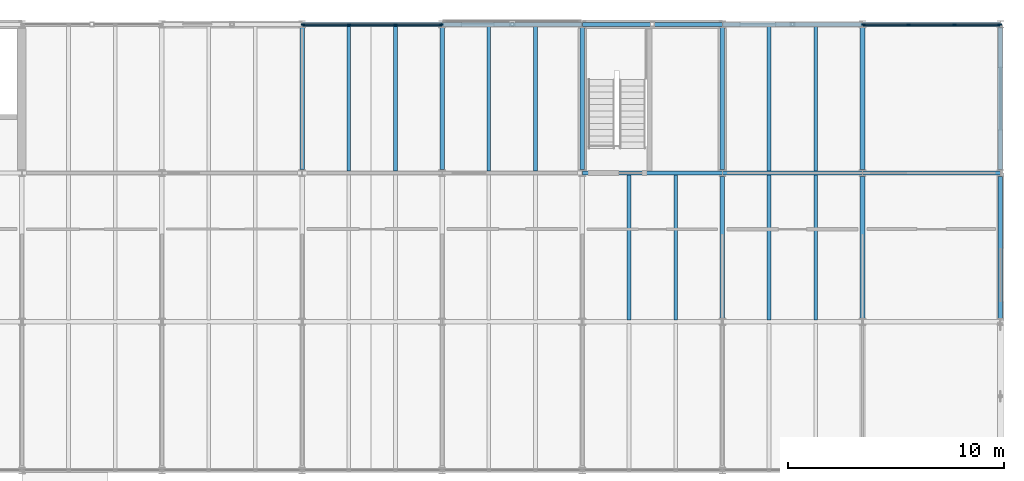
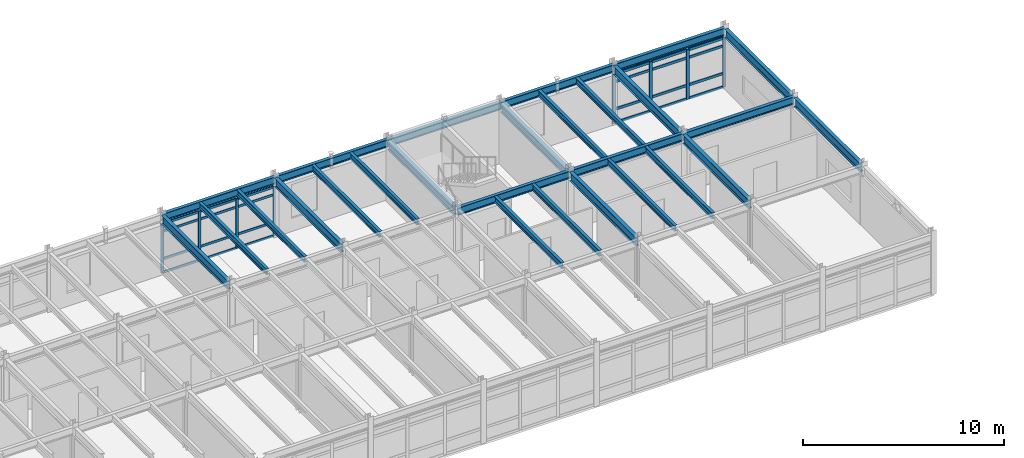
# One storey, part 28 of 49: 32 members, 27 beams, 2 elements without a shape of their own.
"""IFC4 building model written with IfcOpenShell, lengths in metres."""

from ifc_helpers import new_model, si_unit, direction, frame, origin, origin_2d, place, context, subcontext, project, spatial, rectangle, i_section, extrude, material, layer, layer_set, material_profile, profile_set, type_object, element, aggregate, save


model = new_model("IFC4")

# Units and contexts
model_context = context("Model", 3, precision=1e-05, world=origin(), true_north=direction((0.0, 1.0)))
body_context = subcontext(model_context, "Body", "Model", "MODEL_VIEW")
ifc_project = project(units=[si_unit("LENGTHUNIT", "METRE"), si_unit("AREAUNIT", "SQUARE_METRE"), si_unit("VOLUMEUNIT", "CUBIC_METRE"), si_unit("PLANEANGLEUNIT", "RADIAN"), si_unit("MASSUNIT", "GRAM", prefix="KILO")], contexts=[model_context])

# Site, building, storey
site_placement = place(None, origin())
site = spatial("IfcSite", under=ifc_project, at=site_placement, CompositionType="ELEMENT")
building_placement = place(site_placement, origin())
building = spatial("IfcBuilding", under=site, at=building_placement, Name="Trelmorton Wharf Fire Station", CompositionType="ELEMENT")
storey_placement = place(building_placement, frame((0.0, 0.0, 9.60009765625)))
storey = spatial("IfcBuildingStorey", under=building, at=storey_placement, Name="L02", CompositionType="ELEMENT", Elevation=9.60009765625)

# Beams
ifc_material_1 = material(Name="Steel Grade 350", Category="steel")
ifc_material_profile_1 = material_profile(ifc_material_1, i_section(OverallWidth=0.19091796875, OverallDepth=0.4599609375, WebThickness=0.010009765625, FlangeThickness=0.01611328125, FilletRadius=0.011474609375, at=origin_2d()), Name="460UB82.1")
ifc_profile_set_1 = profile_set([ifc_material_profile_1], Name="Steel Grade 350")
beam_type_1 = type_object("IfcBeamType", Name="BM_460UB82", PredefinedType="BEAM", material=ifc_profile_set_1)
for number, where, z_axis, x_axis, name in (
    (1, (143.00390625, 74.10009765625, 3.39990234375), (1.0, 0.0, 0.0), (0.0, 1.0, 0.0), "BM-L02-0768"),
    (2, (149.50390625, 74.10009765625, 3.39990234375), (1.0, 0.0, 0.0), (0.0, 1.0, 0.0), "BM-L02-0769"),
):
    element("IfcBeam", number, at=place(storey_placement, frame(where, z_axis=z_axis, x_axis=x_axis)), inside=storey, type_object=beam_type_1, Name=name, PredefinedType="BEAM", context=body_context, shape_type="SweptSolid", body=[
        extrude(i_section(OverallWidth=0.19091796875, OverallDepth=0.4599609375, WebThickness=0.010009765625, FlangeThickness=0.01611328125, FilletRadius=0.011474609375, at=origin_2d()), origin(), (0.0, 0.0, 1.0), 6.4921875),
    ])
beam_1_placement = place(storey_placement, frame((156.00390625, 74.10009765625, 3.39990234375), z_axis=(1.0, 0.0, 0.0), x_axis=(0.0, 1.0, 0.0)))
element("IfcBeam", 3, at=beam_1_placement, inside=storey, type_object=beam_type_1, Name="BM-L02-0770", PredefinedType="BEAM", context=body_context, shape_type="SweptSolid", body=[
    extrude(i_section(OverallWidth=0.19091796875, OverallDepth=0.4599609375, WebThickness=0.010009765625, FlangeThickness=0.01611328125, FilletRadius=0.011474609375, at=origin_2d()), origin(), (0.0, 0.0, 1.0), 6.39208984375),
])
ifc_material_profile_2 = material_profile(ifc_material_1, i_section(OverallWidth=0.208984375, OverallDepth=0.532958984375, WebThickness=0.01025390625, FlangeThickness=0.015625, FilletRadius=0.013916015625, at=origin_2d()), Name="530UB92.4")
ifc_profile_set_2 = profile_set([ifc_material_profile_2], Name="Steel Grade 350")
beam_type_2 = type_object("IfcBeamType", Name="BM_530UB92", PredefinedType="BEAM", material=ifc_profile_set_2)
for number, where, z_axis, x_axis, name in (
    (4, (130.0, 74.25341796875, 3.36328125), (0.0, 1.0, 0.0), (-1.0, 0.0, 0.0), "BM-L02-0842"),
    (5, (136.5, 74.25341796875, 3.36328125), (0.0, 1.0, 0.0), (-1.0, 0.0, 0.0), "BM-L02-0848"),
    (6, (143.0, 74.25341796875, 3.36328125), (0.0, 1.0, 0.0), (-1.0, 0.0, 0.0), "BM-L02-0854"),
    (7, (149.5, 67.353515625, 3.36328125), (0.0, 1.0, 0.0), (-1.0, 0.0, 0.0), "BM-L02-0859"),
    (8, (149.5, 74.25341796875, 3.36328125), (0.0, 1.0, 0.0), (-1.0, 0.0, 0.0), "BM-L02-0860"),
    (9, (156.0, 67.353515625, 3.36328125), (0.0, 1.0, 0.0), (-1.0, 0.0, 0.0), "BM-L02-0865"),
    (10, (156.0, 74.25341796875, 3.36328125), (0.0, 1.0, 0.0), (-1.0, 0.0, 0.0), "BM-L02-0866"),
    (11, (162.39990234375, 67.353515625, 3.36328125), (0.0, 1.0, 0.0), (-1.0, 0.0, 0.0), "BM-L02-0871"),
    (12, (162.39990234375, 74.25341796875, 3.36328125), (0.0, 1.0, 0.0), (-1.0, 0.0, 0.0), "BM-L02-0872"),
):
    element("IfcBeam", number, at=place(storey_placement, frame(where, z_axis=z_axis, x_axis=x_axis)), inside=storey, type_object=beam_type_2, Name=name, PredefinedType="BEAM", context=body_context, shape_type="SweptSolid", body=[
        extrude(i_section(OverallWidth=0.208984375, OverallDepth=0.532958984375, WebThickness=0.01025390625, FlangeThickness=0.015625, FilletRadius=0.013916015625, at=origin_2d()), origin(), (0.0, 0.0, 1.0), 6.593017578125),
    ])

# Curtain wall, members
ifc_material_2 = material(Name="Anodised aluminium AW-6063", Category="aluminium")
ifc_layer = layer(ifc_material_2, 0.14990234375)
ifc_layer_set = layer_set([ifc_layer], Name="Anodised aluminium AW-6063")
curtain_wall_type = type_object("IfcCurtainWallType", Name="CW_UNIT_A", PredefinedType="USERDEFINED", material=ifc_layer_set)
curtain_wall_1_placement = place(storey_placement, origin())
curtain_wall_1 = element("IfcCurtainWall", 13, at=curtain_wall_1_placement, inside=storey, type_object=curtain_wall_type, Name="CW-V4-L02-141", ObjectType="UNITISED CURTAIN WALL", PredefinedType="USERDEFINED")
ifc_material_profile_3 = material_profile(ifc_material_2, rectangle(XDim=0.06494140625, YDim=0.159912109375, at=origin_2d()), Name="ALU-65x160")
ifc_profile_set_3 = profile_set([ifc_material_profile_3], Name="Anodised aluminium AW-6063")
member_type_1 = type_object("IfcMemberType", Name="CWM_65x160", PredefinedType="MULLION", material=ifc_profile_set_3)
member_1_placement = place(storey_placement, frame((130.034912109375, 81.0, 0.0), z_axis=(0.0, 0.0, 1.0), x_axis=(0.0, 1.0, 0.0)))
member_1 = element("IfcMember", 14, at=member_1_placement, type_object=member_type_1, Name="CW3 mullion 1", PredefinedType="MULLION", context=body_context, shape_type="SweptSolid", body=[
    extrude(rectangle(XDim=0.06494140625, YDim=0.159912109375, at=origin_2d()), origin(), (0.0, 0.0, 1.0), 3.02001953125),
])
member_2_placement = place(storey_placement, frame((132.168212890625, 81.0, 0.0), z_axis=(0.0, 0.0, 1.0), x_axis=(0.0, 1.0, 0.0)))
member_2 = element("IfcMember", 15, at=member_2_placement, type_object=member_type_1, Name="CW3 mullion 2", PredefinedType="MULLION", context=body_context, shape_type="SweptSolid", body=[
    extrude(rectangle(XDim=0.06494140625, YDim=0.159912109375, at=origin_2d()), origin(), (0.0, 0.0, 1.0), 3.02001953125),
])
member_3_placement = place(storey_placement, frame((134.331787109375, 81.0, 0.0), z_axis=(0.0, 0.0, 1.0), x_axis=(0.0, 1.0, 0.0)))
member_3 = element("IfcMember", 16, at=member_3_placement, type_object=member_type_1, Name="CW3 mullion 3", PredefinedType="MULLION", context=body_context, shape_type="SweptSolid", body=[
    extrude(rectangle(XDim=0.06494140625, YDim=0.159912109375, at=origin_2d()), origin(), (0.0, 0.0, 1.0), 3.02001953125),
])
member_4_placement = place(storey_placement, frame((136.465087890625, 81.0, 0.0), z_axis=(0.0, 0.0, 1.0), x_axis=(0.0, 1.0, 0.0)))
member_4 = element("IfcMember", 17, at=member_4_placement, type_object=member_type_1, Name="CW3 mullion 4", PredefinedType="MULLION", context=body_context, shape_type="SweptSolid", body=[
    extrude(rectangle(XDim=0.06494140625, YDim=0.159912109375, at=origin_2d()), origin(), (0.0, 0.0, 1.0), 3.02001953125),
])

curtain_wall_2_placement = place(storey_placement, origin())
curtain_wall_2 = element("IfcCurtainWall", 18, at=curtain_wall_2_placement, inside=storey, type_object=curtain_wall_type, Name="CW-V4-L02-142", ObjectType="UNITISED CURTAIN WALL", PredefinedType="USERDEFINED")
ifc_material_profile_4 = material_profile(ifc_material_2, rectangle(XDim=0.074951171875, YDim=0.175048828125, at=origin_2d()), Name="ALU-75x175")
ifc_profile_set_4 = profile_set([ifc_material_profile_4], Name="Anodised aluminium AW-6063")
member_type_2 = type_object("IfcMemberType", Name="CWM_75x175", PredefinedType="MULLION", material=ifc_profile_set_4)
member_5_placement = place(storey_placement, frame((156.034912109375, 81.0, 0.0), z_axis=(0.0, 0.0, 1.0), x_axis=(0.0, 1.0, 0.0)))
member_5 = element("IfcMember", 19, at=member_5_placement, type_object=member_type_2, Name="CW3 mullion 1", PredefinedType="MULLION", context=body_context, shape_type="SweptSolid", body=[
    extrude(rectangle(XDim=0.074951171875, YDim=0.175048828125, at=origin_2d()), origin(), (0.0, 0.0, 1.0), 3.02001953125),
])
member_6_placement = place(storey_placement, frame((158.135009765625, 81.0, 0.0), z_axis=(0.0, 0.0, 1.0), x_axis=(0.0, 1.0, 0.0)))
member_6 = element("IfcMember", 20, at=member_6_placement, type_object=member_type_2, Name="CW3 mullion 2", PredefinedType="MULLION", context=body_context, shape_type="SweptSolid", body=[
    extrude(rectangle(XDim=0.074951171875, YDim=0.175048828125, at=origin_2d()), origin(), (0.0, 0.0, 1.0), 3.02001953125),
])
member_7_placement = place(storey_placement, frame((160.264892578125, 81.0, 0.0), z_axis=(0.0, 0.0, 1.0), x_axis=(0.0, 1.0, 0.0)))
member_7 = element("IfcMember", 21, at=member_7_placement, type_object=member_type_2, Name="CW3 mullion 3", PredefinedType="MULLION", context=body_context, shape_type="SweptSolid", body=[
    extrude(rectangle(XDim=0.074951171875, YDim=0.175048828125, at=origin_2d()), origin(), (0.0, 0.0, 1.0), 3.02001953125),
])
member_8_placement = place(storey_placement, frame((162.364990234375, 81.0, 0.0), z_axis=(0.0, 0.0, 1.0), x_axis=(0.0, 1.0, 0.0)))
member_8 = element("IfcMember", 22, at=member_8_placement, type_object=member_type_2, Name="CW3 mullion 4", PredefinedType="MULLION", context=body_context, shape_type="SweptSolid", body=[
    extrude(rectangle(XDim=0.074951171875, YDim=0.175048828125, at=origin_2d()), origin(), (0.0, 0.0, 1.0), 3.02001953125),
])

# Member
ifc_material_profile_5 = material_profile(ifc_material_2, rectangle(XDim=0.06494140625, YDim=0.139892578125, at=origin_2d()), Name="ALU-65x140")
ifc_profile_set_5 = profile_set([ifc_material_profile_5], Name="Anodised aluminium AW-6063")
member_type_3 = type_object("IfcMemberType", Name="CWT_65x140", PredefinedType="USERDEFINED", material=ifc_profile_set_5)
member_9_placement = place(storey_placement, frame((130.06494140625, 81.0, 0.02978515625), z_axis=(1.0, 0.0, 0.0), x_axis=(0.0, 1.0, 0.0)))
member_9 = element("IfcMember", 23, at=member_9_placement, type_object=member_type_3, Name="CW3 transom 1.1", ObjectType="TRANSOM", PredefinedType="USERDEFINED", context=body_context, shape_type="SweptSolid", body=[
    extrude(rectangle(XDim=0.06494140625, YDim=0.139892578125, at=origin_2d()), origin(), (0.0, 0.0, 1.0), 2.073486328125),
])

member_10_placement = place(storey_placement, frame((130.06494140625, 81.0, 0.849853515625), z_axis=(1.0, 0.0, 0.0), x_axis=(0.0, 1.0, 0.0)))
member_10 = element("IfcMember", 24, at=member_10_placement, type_object=member_type_3, Name="CW3 transom 1.2", ObjectType="TRANSOM", PredefinedType="USERDEFINED", context=body_context, shape_type="SweptSolid", body=[
    extrude(rectangle(XDim=0.06494140625, YDim=0.139892578125, at=origin_2d()), origin(), (0.0, 0.0, 1.0), 2.073486328125),
])

member_11_placement = place(storey_placement, frame((130.06494140625, 81.0, 2.52001953125), z_axis=(1.0, 0.0, 0.0), x_axis=(0.0, 1.0, 0.0)))
member_11 = element("IfcMember", 25, at=member_11_placement, type_object=member_type_3, Name="CW3 transom 1.3", ObjectType="TRANSOM", PredefinedType="USERDEFINED", context=body_context, shape_type="SweptSolid", body=[
    extrude(rectangle(XDim=0.06494140625, YDim=0.139892578125, at=origin_2d()), origin(), (0.0, 0.0, 1.0), 2.073486328125),
])

member_12_placement = place(storey_placement, frame((130.06494140625, 81.0, 2.989990234375), z_axis=(1.0, 0.0, 0.0), x_axis=(0.0, 1.0, 0.0)))
member_12 = element("IfcMember", 26, at=member_12_placement, type_object=member_type_3, Name="CW3 transom 1.4", ObjectType="TRANSOM", PredefinedType="USERDEFINED", context=body_context, shape_type="SweptSolid", body=[
    extrude(rectangle(XDim=0.06494140625, YDim=0.139892578125, at=origin_2d()), origin(), (0.0, 0.0, 1.0), 2.073486328125),
])

member_13_placement = place(storey_placement, frame((132.1982421875, 81.0, 0.02978515625), z_axis=(1.0, 0.0, 0.0), x_axis=(0.0, 1.0, 0.0)))
member_13 = element("IfcMember", 27, at=member_13_placement, type_object=member_type_3, Name="CW3 transom 2.1", ObjectType="TRANSOM", PredefinedType="USERDEFINED", context=body_context, shape_type="SweptSolid", body=[
    extrude(rectangle(XDim=0.06494140625, YDim=0.139892578125, at=origin_2d()), origin(), (0.0, 0.0, 1.0), 2.103515625),
])

member_14_placement = place(storey_placement, frame((132.1982421875, 81.0, 0.849853515625), z_axis=(1.0, 0.0, 0.0), x_axis=(0.0, 1.0, 0.0)))
member_14 = element("IfcMember", 28, at=member_14_placement, type_object=member_type_3, Name="CW3 transom 2.2", ObjectType="TRANSOM", PredefinedType="USERDEFINED", context=body_context, shape_type="SweptSolid", body=[
    extrude(rectangle(XDim=0.06494140625, YDim=0.139892578125, at=origin_2d()), origin(), (0.0, 0.0, 1.0), 2.103515625),
])

member_15_placement = place(storey_placement, frame((132.1982421875, 81.0, 2.52001953125), z_axis=(1.0, 0.0, 0.0), x_axis=(0.0, 1.0, 0.0)))
member_15 = element("IfcMember", 29, at=member_15_placement, type_object=member_type_3, Name="CW3 transom 2.3", ObjectType="TRANSOM", PredefinedType="USERDEFINED", context=body_context, shape_type="SweptSolid", body=[
    extrude(rectangle(XDim=0.06494140625, YDim=0.139892578125, at=origin_2d()), origin(), (0.0, 0.0, 1.0), 2.103515625),
])

member_16_placement = place(storey_placement, frame((132.1982421875, 81.0, 2.989990234375), z_axis=(1.0, 0.0, 0.0), x_axis=(0.0, 1.0, 0.0)))
member_16 = element("IfcMember", 30, at=member_16_placement, type_object=member_type_3, Name="CW3 transom 2.4", ObjectType="TRANSOM", PredefinedType="USERDEFINED", context=body_context, shape_type="SweptSolid", body=[
    extrude(rectangle(XDim=0.06494140625, YDim=0.139892578125, at=origin_2d()), origin(), (0.0, 0.0, 1.0), 2.103515625),
])

member_17_placement = place(storey_placement, frame((134.361572265625, 81.0, 0.02978515625), z_axis=(1.0, 0.0, 0.0), x_axis=(0.0, 1.0, 0.0)))
member_17 = element("IfcMember", 31, at=member_17_placement, type_object=member_type_3, Name="CW3 transom 3.1", ObjectType="TRANSOM", PredefinedType="USERDEFINED", context=body_context, shape_type="SweptSolid", body=[
    extrude(rectangle(XDim=0.06494140625, YDim=0.139892578125, at=origin_2d()), origin(), (0.0, 0.0, 1.0), 2.073486328125),
])

member_18_placement = place(storey_placement, frame((134.361572265625, 81.0, 0.849853515625), z_axis=(1.0, 0.0, 0.0), x_axis=(0.0, 1.0, 0.0)))
member_18 = element("IfcMember", 32, at=member_18_placement, type_object=member_type_3, Name="CW3 transom 3.2", ObjectType="TRANSOM", PredefinedType="USERDEFINED", context=body_context, shape_type="SweptSolid", body=[
    extrude(rectangle(XDim=0.06494140625, YDim=0.139892578125, at=origin_2d()), origin(), (0.0, 0.0, 1.0), 2.073486328125),
])

member_19_placement = place(storey_placement, frame((134.361572265625, 81.0, 2.52001953125), z_axis=(1.0, 0.0, 0.0), x_axis=(0.0, 1.0, 0.0)))
member_19 = element("IfcMember", 33, at=member_19_placement, type_object=member_type_3, Name="CW3 transom 3.3", ObjectType="TRANSOM", PredefinedType="USERDEFINED", context=body_context, shape_type="SweptSolid", body=[
    extrude(rectangle(XDim=0.06494140625, YDim=0.139892578125, at=origin_2d()), origin(), (0.0, 0.0, 1.0), 2.073486328125),
])

member_20_placement = place(storey_placement, frame((134.361572265625, 81.0, 2.989990234375), z_axis=(1.0, 0.0, 0.0), x_axis=(0.0, 1.0, 0.0)))
member_20 = element("IfcMember", 34, at=member_20_placement, type_object=member_type_3, Name="CW3 transom 3.4", ObjectType="TRANSOM", PredefinedType="USERDEFINED", context=body_context, shape_type="SweptSolid", body=[
    extrude(rectangle(XDim=0.06494140625, YDim=0.139892578125, at=origin_2d()), origin(), (0.0, 0.0, 1.0), 2.073486328125),
])

aggregate(curtain_wall_1, [member_1, member_2, member_3, member_4, member_9, member_10, member_11, member_12, member_13, member_14, member_15, member_16, member_17, member_18, member_19, member_20])

ifc_material_profile_6 = material_profile(ifc_material_2, rectangle(XDim=0.074951171875, YDim=0.155029296875, at=origin_2d()), Name="ALU-75x155")
ifc_profile_set_6 = profile_set([ifc_material_profile_6], Name="Anodised aluminium AW-6063")
member_type_4 = type_object("IfcMemberType", Name="CWT_75x155", PredefinedType="USERDEFINED", material=ifc_profile_set_6)
member_21_placement = place(storey_placement, frame((156.06494140625, 81.0, 0.02978515625), z_axis=(1.0, 0.0, 0.0), x_axis=(0.0, 1.0, 0.0)))
member_21 = element("IfcMember", 35, at=member_21_placement, type_object=member_type_4, Name="CW3 transom 1.1", ObjectType="TRANSOM", PredefinedType="USERDEFINED", context=body_context, shape_type="SweptSolid", body=[
    extrude(rectangle(XDim=0.074951171875, YDim=0.155029296875, at=origin_2d()), origin(), (0.0, 0.0, 1.0), 2.0400390625),
])

member_22_placement = place(storey_placement, frame((156.06494140625, 81.0, 0.849853515625), z_axis=(1.0, 0.0, 0.0), x_axis=(0.0, 1.0, 0.0)))
member_22 = element("IfcMember", 36, at=member_22_placement, type_object=member_type_4, Name="CW3 transom 1.2", ObjectType="TRANSOM", PredefinedType="USERDEFINED", context=body_context, shape_type="SweptSolid", body=[
    extrude(rectangle(XDim=0.074951171875, YDim=0.155029296875, at=origin_2d()), origin(), (0.0, 0.0, 1.0), 2.0400390625),
])

member_23_placement = place(storey_placement, frame((156.06494140625, 81.0, 2.52001953125), z_axis=(1.0, 0.0, 0.0), x_axis=(0.0, 1.0, 0.0)))
member_23 = element("IfcMember", 37, at=member_23_placement, type_object=member_type_4, Name="CW3 transom 1.3", ObjectType="TRANSOM", PredefinedType="USERDEFINED", context=body_context, shape_type="SweptSolid", body=[
    extrude(rectangle(XDim=0.074951171875, YDim=0.155029296875, at=origin_2d()), origin(), (0.0, 0.0, 1.0), 2.0400390625),
])

member_24_placement = place(storey_placement, frame((156.06494140625, 81.0, 2.989990234375), z_axis=(1.0, 0.0, 0.0), x_axis=(0.0, 1.0, 0.0)))
member_24 = element("IfcMember", 38, at=member_24_placement, type_object=member_type_4, Name="CW3 transom 1.4", ObjectType="TRANSOM", PredefinedType="USERDEFINED", context=body_context, shape_type="SweptSolid", body=[
    extrude(rectangle(XDim=0.074951171875, YDim=0.155029296875, at=origin_2d()), origin(), (0.0, 0.0, 1.0), 2.0400390625),
])

member_25_placement = place(storey_placement, frame((158.1650390625, 81.0, 0.02978515625), z_axis=(1.0, 0.0, 0.0), x_axis=(0.0, 1.0, 0.0)))
member_25 = element("IfcMember", 39, at=member_25_placement, type_object=member_type_4, Name="CW3 transom 2.1", ObjectType="TRANSOM", PredefinedType="USERDEFINED", context=body_context, shape_type="SweptSolid", body=[
    extrude(rectangle(XDim=0.074951171875, YDim=0.155029296875, at=origin_2d()), origin(), (0.0, 0.0, 1.0), 2.070068359375),
])

member_26_placement = place(storey_placement, frame((158.1650390625, 81.0, 0.849853515625), z_axis=(1.0, 0.0, 0.0), x_axis=(0.0, 1.0, 0.0)))
member_26 = element("IfcMember", 40, at=member_26_placement, type_object=member_type_4, Name="CW3 transom 2.2", ObjectType="TRANSOM", PredefinedType="USERDEFINED", context=body_context, shape_type="SweptSolid", body=[
    extrude(rectangle(XDim=0.074951171875, YDim=0.155029296875, at=origin_2d()), origin(), (0.0, 0.0, 1.0), 2.070068359375),
])

member_27_placement = place(storey_placement, frame((158.1650390625, 81.0, 2.52001953125), z_axis=(1.0, 0.0, 0.0), x_axis=(0.0, 1.0, 0.0)))
member_27 = element("IfcMember", 41, at=member_27_placement, type_object=member_type_4, Name="CW3 transom 2.3", ObjectType="TRANSOM", PredefinedType="USERDEFINED", context=body_context, shape_type="SweptSolid", body=[
    extrude(rectangle(XDim=0.074951171875, YDim=0.155029296875, at=origin_2d()), origin(), (0.0, 0.0, 1.0), 2.070068359375),
])

member_28_placement = place(storey_placement, frame((158.1650390625, 81.0, 2.989990234375), z_axis=(1.0, 0.0, 0.0), x_axis=(0.0, 1.0, 0.0)))
member_28 = element("IfcMember", 42, at=member_28_placement, type_object=member_type_4, Name="CW3 transom 2.4", ObjectType="TRANSOM", PredefinedType="USERDEFINED", context=body_context, shape_type="SweptSolid", body=[
    extrude(rectangle(XDim=0.074951171875, YDim=0.155029296875, at=origin_2d()), origin(), (0.0, 0.0, 1.0), 2.070068359375),
])

member_29_placement = place(storey_placement, frame((160.294921875, 81.0, 0.02978515625), z_axis=(1.0, 0.0, 0.0), x_axis=(0.0, 1.0, 0.0)))
member_29 = element("IfcMember", 43, at=member_29_placement, type_object=member_type_4, Name="CW3 transom 3.1", ObjectType="TRANSOM", PredefinedType="USERDEFINED", context=body_context, shape_type="SweptSolid", body=[
    extrude(rectangle(XDim=0.074951171875, YDim=0.155029296875, at=origin_2d()), origin(), (0.0, 0.0, 1.0), 2.0400390625),
])

member_30_placement = place(storey_placement, frame((160.294921875, 81.0, 0.849853515625), z_axis=(1.0, 0.0, 0.0), x_axis=(0.0, 1.0, 0.0)))
member_30 = element("IfcMember", 44, at=member_30_placement, type_object=member_type_4, Name="CW3 transom 3.2", ObjectType="TRANSOM", PredefinedType="USERDEFINED", context=body_context, shape_type="SweptSolid", body=[
    extrude(rectangle(XDim=0.074951171875, YDim=0.155029296875, at=origin_2d()), origin(), (0.0, 0.0, 1.0), 2.0400390625),
])

member_31_placement = place(storey_placement, frame((160.294921875, 81.0, 2.52001953125), z_axis=(1.0, 0.0, 0.0), x_axis=(0.0, 1.0, 0.0)))
member_31 = element("IfcMember", 45, at=member_31_placement, type_object=member_type_4, Name="CW3 transom 3.3", ObjectType="TRANSOM", PredefinedType="USERDEFINED", context=body_context, shape_type="SweptSolid", body=[
    extrude(rectangle(XDim=0.074951171875, YDim=0.155029296875, at=origin_2d()), origin(), (0.0, 0.0, 1.0), 2.0400390625),
])

member_32_placement = place(storey_placement, frame((160.294921875, 81.0, 2.989990234375), z_axis=(1.0, 0.0, 0.0), x_axis=(0.0, 1.0, 0.0)))
member_32 = element("IfcMember", 46, at=member_32_placement, type_object=member_type_4, Name="CW3 transom 3.4", ObjectType="TRANSOM", PredefinedType="USERDEFINED", context=body_context, shape_type="SweptSolid", body=[
    extrude(rectangle(XDim=0.074951171875, YDim=0.155029296875, at=origin_2d()), origin(), (0.0, 0.0, 1.0), 2.0400390625),
])

aggregate(curtain_wall_2, [member_5, member_6, member_7, member_8, member_21, member_22, member_23, member_24, member_25, member_26, member_27, member_28, member_29, member_30, member_31, member_32])

# Beams
ifc_material_profile_7 = material_profile(ifc_material_1, i_section(OverallWidth=0.172119140625, OverallDepth=0.35888671875, WebThickness=0.008056640625, FlangeThickness=0.012939453125, FilletRadius=0.011474609375, at=origin_2d()), Name="360UB56.7")
ifc_profile_set_7 = profile_set([ifc_material_profile_7], Name="Steel Grade 350")
beam_type_3 = type_object("IfcBeamType", Name="JS_360UB57", PredefinedType="JOIST", material=ifc_profile_set_7)
for number, where, z_axis, x_axis, name in (
    (47, (132.166748046875, 74.18994140625, 3.450439453125), (0.0, 1.0, 0.0), (-1.0, 0.0, 0.0), "JS-L02-0289"),
    (48, (134.333251953125, 74.18994140625, 3.450439453125), (0.0, 1.0, 0.0), (-1.0, 0.0, 0.0), "JS-L02-0290"),
    (49, (138.666748046875, 74.18994140625, 3.450439453125), (0.0, 1.0, 0.0), (-1.0, 0.0, 0.0), "JS-L02-0301"),
    (50, (140.833251953125, 74.18994140625, 3.450439453125), (0.0, 1.0, 0.0), (-1.0, 0.0, 0.0), "JS-L02-0302"),
    (51, (145.166748046875, 67.2900390625, 3.450439453125), (0.0, 1.0, 0.0), (-1.0, 0.0, 0.0), "JS-L02-0309"),
    (52, (147.333251953125, 67.2900390625, 3.450439453125), (0.0, 1.0, 0.0), (-1.0, 0.0, 0.0), "JS-L02-0310"),
    (53, (151.666748046875, 67.2900390625, 3.450439453125), (0.0, 1.0, 0.0), (-1.0, 0.0, 0.0), "JS-L02-0319"),
    (54, (153.833251953125, 67.2900390625, 3.450439453125), (0.0, 1.0, 0.0), (-1.0, 0.0, 0.0), "JS-L02-0320"),
    (55, (151.666748046875, 74.18994140625, 3.450439453125), (0.0, 1.0, 0.0), (-1.0, 0.0, 0.0), "JS-L02-0321"),
    (56, (153.833251953125, 74.18994140625, 3.450439453125), (0.0, 1.0, 0.0), (-1.0, 0.0, 0.0), "JS-L02-0322"),
):
    element("IfcBeam", number, at=place(storey_placement, frame(where, z_axis=z_axis, x_axis=x_axis)), inside=storey, type_object=beam_type_3, Name=name, PredefinedType="JOIST", context=body_context, shape_type="SweptSolid", body=[
        extrude(i_section(OverallWidth=0.172119140625, OverallDepth=0.35888671875, WebThickness=0.008056640625, FlangeThickness=0.012939453125, FilletRadius=0.011474609375, at=origin_2d()), origin(), (0.0, 0.0, 1.0), 6.719970703125),
    ])
ifc_material_profile_8 = material_profile(ifc_material_1, i_section(OverallWidth=0.18994140625, OverallDepth=0.45703125, WebThickness=0.009033203125, FlangeThickness=0.014404296875, FilletRadius=0.011474609375, at=origin_2d()), Name="460UB74.6")
ifc_profile_set_8 = profile_set([ifc_material_profile_8], Name="Steel Grade 350")
beam_type_4 = type_object("IfcBeamType", Name="SP_460UB75", PredefinedType="SPANDREL", material=ifc_profile_set_8)
for number, where, z_axis, x_axis, name in (
    (57, (130.00390625, 81.0, 3.4013671875), (1.0, 0.0, 0.0), (0.0, 1.0, 0.0), "BM-L02-0779"),
    (58, (136.50390625, 81.0, 3.4013671875), (1.0, 0.0, 0.0), (0.0, 1.0, 0.0), "BM-L02-0780"),
    (59, (143.00390625, 81.0, 3.4013671875), (1.0, 0.0, 0.0), (0.0, 1.0, 0.0), "BM-L02-0781"),
    (60, (149.50390625, 81.0, 3.4013671875), (1.0, 0.0, 0.0), (0.0, 1.0, 0.0), "BM-L02-0782"),
):
    element("IfcBeam", number, at=place(storey_placement, frame(where, z_axis=z_axis, x_axis=x_axis)), inside=storey, type_object=beam_type_4, Name=name, PredefinedType="SPANDREL", context=body_context, shape_type="SweptSolid", body=[
        extrude(i_section(OverallWidth=0.18994140625, OverallDepth=0.45703125, WebThickness=0.009033203125, FlangeThickness=0.014404296875, FilletRadius=0.011474609375, at=origin_2d()), origin(), (0.0, 0.0, 1.0), 6.4921875),
    ])
beam_2_placement = place(storey_placement, frame((156.00390625, 81.0, 3.4013671875), z_axis=(1.0, 0.0, 0.0), x_axis=(0.0, 1.0, 0.0)))
element("IfcBeam", 61, at=beam_2_placement, inside=storey, type_object=beam_type_4, Name="BM-L02-0783", PredefinedType="SPANDREL", context=body_context, shape_type="SweptSolid", body=[
    extrude(i_section(OverallWidth=0.18994140625, OverallDepth=0.45703125, WebThickness=0.009033203125, FlangeThickness=0.014404296875, FilletRadius=0.011474609375, at=origin_2d()), origin(), (0.0, 0.0, 1.0), 6.39208984375),
])

save(model, "model.ifc")
